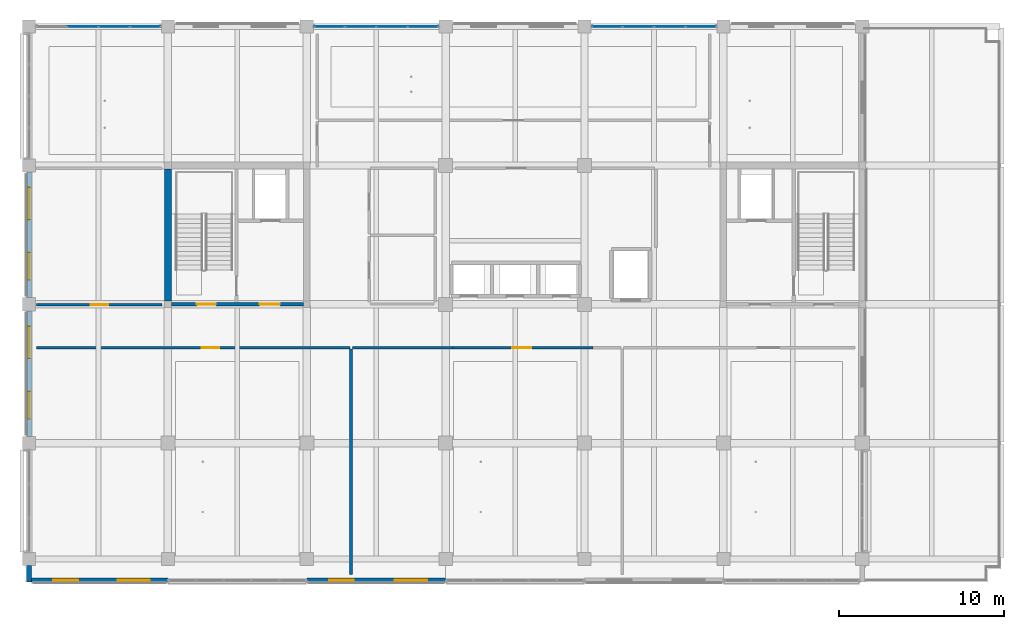
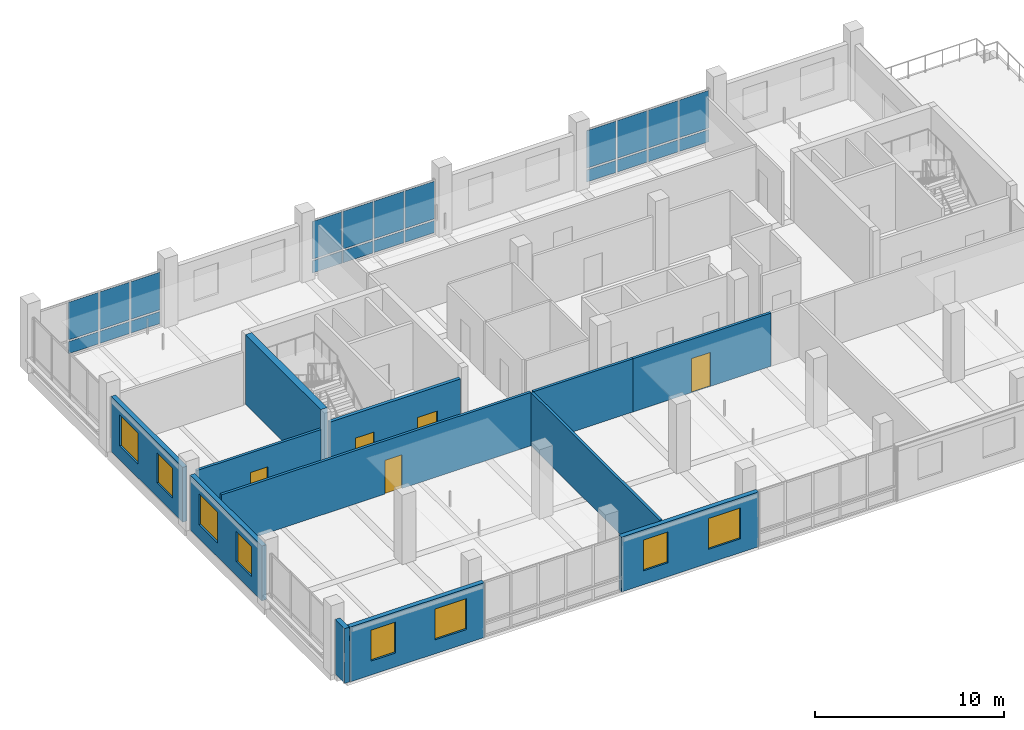
# One storey, part 11 of 36: 22 plates, 12 walls, 8 windows, 5 doors, 13 openings, 3 elements without a shape of their own.
"""IFC4 building model written with IfcOpenShell, lengths in metres."""

from ifc_helpers import new_model, si_unit, direction, frame, frame_2d, origin, origin_2d, place, context, subcontext, project, spatial, rectangle, extrude, material, layer, layer_set, type_object, element, fill, aggregate, save


model = new_model("IFC4")

# Units and contexts
model_context = context("Model", 3, precision=1e-05, world=origin(), true_north=direction((0.0, 1.0)))
body_context = subcontext(model_context, "Body", "Model", "MODEL_VIEW")
ifc_project = project(units=[si_unit("LENGTHUNIT", "METRE"), si_unit("AREAUNIT", "SQUARE_METRE"), si_unit("VOLUMEUNIT", "CUBIC_METRE"), si_unit("PLANEANGLEUNIT", "RADIAN"), si_unit("MASSUNIT", "GRAM", prefix="KILO")], contexts=[model_context])

# Site, building, storey
site_placement = place(None, origin())
site = spatial("IfcSite", under=ifc_project, at=site_placement, CompositionType="ELEMENT")
building_placement = place(site_placement, origin())
building = spatial("IfcBuilding", under=site, at=building_placement, Name="Telukmera Botanical Conservatory", CompositionType="ELEMENT")
storey_placement = place(building_placement, frame((0.0, 0.0, 33.0)))
storey = spatial("IfcBuildingStorey", under=building, at=storey_placement, Name="L07", CompositionType="ELEMENT", Elevation=33.0)

# Curtain wall, plates
ifc_material_1 = material(Name="Anodised aluminium 6063-T6", Category="aluminium")
ifc_layer_1 = layer(ifc_material_1, 0.179931640625)
ifc_layer_set_1 = layer_set([ifc_layer_1], Name="Anodised aluminium 6063-T6")
curtain_wall_type = type_object("IfcCurtainWallType", Name="Tower Research Laboratory Unitised Curtain Wall", PredefinedType="USERDEFINED", material=ifc_layer_set_1)
curtain_wall_1_placement = place(storey_placement, origin())
curtain_wall_1 = element("IfcCurtainWall", 1, at=curtain_wall_1_placement, inside=storey, type_object=curtain_wall_type, Name="Unitised Curtain Wall CW15 V4:L07:N1", ObjectType="UNITISED CURTAIN WALL", PredefinedType="USERDEFINED")
ifc_material_2 = material(Name="Spectrally selective low-E double glazing", Category="glass")
ifc_layer_2 = layer(ifc_material_2, 0.028076171875)
ifc_layer_set_2 = layer_set([ifc_layer_2], Name="Spectrally selective low-E double glazing")
plate_type = type_object("IfcPlateType", Name="Spectrally Selective Vision Double Glazing Panel 28", PredefinedType="CURTAIN_PANEL", material=ifc_layer_set_2)
plate_1_placement = place(storey_placement, frame((53.650390625, 42.800048828125, 0.10986328125), z_axis=(0.0, 0.0, 1.0), x_axis=(1.0, 0.0, 0.0)))
plate_1 = element("IfcPlate", 2, at=plate_1_placement, type_object=plate_type, Name="CW15 panel 2.1", PredefinedType="CURTAIN_PANEL", context=body_context, shape_type="SweptSolid", body=[
    extrude(rectangle(XDim=1.839111328125, YDim=0.028076171875, at=origin_2d()), origin(), (0.0, 0.0, 1.0), 0.784912109375),
])
plate_2_placement = place(storey_placement, frame((53.650390625, 42.800048828125, 1.0048828125), z_axis=(0.0, 0.0, 1.0), x_axis=(1.0, 0.0, 0.0)))
plate_2 = element("IfcPlate", 3, at=plate_2_placement, type_object=plate_type, Name="CW15 panel 2.2", PredefinedType="CURTAIN_PANEL", context=body_context, shape_type="SweptSolid", body=[
    extrude(rectangle(XDim=1.839111328125, YDim=0.028076171875, at=origin_2d()), origin(), (0.0, 0.0, 1.0), 2.43505859375),
])
plate_3_placement = place(storey_placement, frame((55.549560546875, 42.800048828125, 0.10986328125), z_axis=(0.0, 0.0, 1.0), x_axis=(1.0, 0.0, 0.0)))
plate_3 = element("IfcPlate", 4, at=plate_3_placement, type_object=plate_type, Name="CW15 panel 3.1", PredefinedType="CURTAIN_PANEL", context=body_context, shape_type="SweptSolid", body=[
    extrude(rectangle(XDim=1.839111328125, YDim=0.028076171875, at=origin_2d()), origin(), (0.0, 0.0, 1.0), 0.784912109375),
])
plate_4_placement = place(storey_placement, frame((55.549560546875, 42.800048828125, 1.0048828125), z_axis=(0.0, 0.0, 1.0), x_axis=(1.0, 0.0, 0.0)))
plate_4 = element("IfcPlate", 5, at=plate_4_placement, type_object=plate_type, Name="CW15 panel 3.2", PredefinedType="CURTAIN_PANEL", context=body_context, shape_type="SweptSolid", body=[
    extrude(rectangle(XDim=1.839111328125, YDim=0.028076171875, at=origin_2d()), origin(), (0.0, 0.0, 1.0), 2.43505859375),
])
plate_5_placement = place(storey_placement, frame((57.43359375, 42.800048828125, 0.10986328125), z_axis=(0.0, 0.0, 1.0), x_axis=(1.0, 0.0, 0.0)))
plate_5 = element("IfcPlate", 6, at=plate_5_placement, type_object=plate_type, Name="CW15 panel 4.1", PredefinedType="CURTAIN_PANEL", context=body_context, shape_type="SweptSolid", body=[
    extrude(rectangle(XDim=1.80908203125, YDim=0.028076171875, at=origin_2d()), origin(), (0.0, 0.0, 1.0), 0.784912109375),
])
plate_6_placement = place(storey_placement, frame((57.43359375, 42.800048828125, 1.0048828125), z_axis=(0.0, 0.0, 1.0), x_axis=(1.0, 0.0, 0.0)))
plate_6 = element("IfcPlate", 7, at=plate_6_placement, type_object=plate_type, Name="CW15 panel 4.2", PredefinedType="CURTAIN_PANEL", context=body_context, shape_type="SweptSolid", body=[
    extrude(rectangle(XDim=1.80908203125, YDim=0.028076171875, at=origin_2d()), origin(), (0.0, 0.0, 1.0), 2.43505859375),
])
aggregate(curtain_wall_1, [plate_1, plate_2, plate_3, plate_4, plate_5, plate_6])

curtain_wall_2_placement = place(storey_placement, origin())
curtain_wall_2 = element("IfcCurtainWall", 8, at=curtain_wall_2_placement, inside=storey, type_object=curtain_wall_type, Name="Unitised Curtain Wall CW15 V4:L07:N3", ObjectType="UNITISED CURTAIN WALL", PredefinedType="USERDEFINED")
plate_7_placement = place(storey_placement, frame((68.56640625, 42.800048828125, 0.10986328125), z_axis=(0.0, 0.0, 1.0), x_axis=(1.0, 0.0, 0.0)))
plate_7 = element("IfcPlate", 9, at=plate_7_placement, type_object=plate_type, Name="CW15 panel 1.1", PredefinedType="CURTAIN_PANEL", context=body_context, shape_type="SweptSolid", body=[
    extrude(rectangle(XDim=1.80908203125, YDim=0.028076171875, at=origin_2d()), origin(), (0.0, 0.0, 1.0), 0.784912109375),
])
plate_8_placement = place(storey_placement, frame((68.56640625, 42.800048828125, 1.0048828125), z_axis=(0.0, 0.0, 1.0), x_axis=(1.0, 0.0, 0.0)))
plate_8 = element("IfcPlate", 10, at=plate_8_placement, type_object=plate_type, Name="CW15 panel 1.2", PredefinedType="CURTAIN_PANEL", context=body_context, shape_type="SweptSolid", body=[
    extrude(rectangle(XDim=1.80908203125, YDim=0.028076171875, at=origin_2d()), origin(), (0.0, 0.0, 1.0), 2.43505859375),
])
plate_9_placement = place(storey_placement, frame((70.450439453125, 42.800048828125, 0.10986328125), z_axis=(0.0, 0.0, 1.0), x_axis=(1.0, 0.0, 0.0)))
plate_9 = element("IfcPlate", 11, at=plate_9_placement, type_object=plate_type, Name="CW15 panel 2.1", PredefinedType="CURTAIN_PANEL", context=body_context, shape_type="SweptSolid", body=[
    extrude(rectangle(XDim=1.839111328125, YDim=0.028076171875, at=origin_2d()), origin(), (0.0, 0.0, 1.0), 0.784912109375),
])
plate_10_placement = place(storey_placement, frame((70.450439453125, 42.800048828125, 1.0048828125), z_axis=(0.0, 0.0, 1.0), x_axis=(1.0, 0.0, 0.0)))
plate_10 = element("IfcPlate", 12, at=plate_10_placement, type_object=plate_type, Name="CW15 panel 2.2", PredefinedType="CURTAIN_PANEL", context=body_context, shape_type="SweptSolid", body=[
    extrude(rectangle(XDim=1.839111328125, YDim=0.028076171875, at=origin_2d()), origin(), (0.0, 0.0, 1.0), 2.43505859375),
])
plate_11_placement = place(storey_placement, frame((72.349609375, 42.800048828125, 0.10986328125), z_axis=(0.0, 0.0, 1.0), x_axis=(1.0, 0.0, 0.0)))
plate_11 = element("IfcPlate", 13, at=plate_11_placement, type_object=plate_type, Name="CW15 panel 3.1", PredefinedType="CURTAIN_PANEL", context=body_context, shape_type="SweptSolid", body=[
    extrude(rectangle(XDim=1.839111328125, YDim=0.028076171875, at=origin_2d()), origin(), (0.0, 0.0, 1.0), 0.784912109375),
])
plate_12_placement = place(storey_placement, frame((72.349609375, 42.800048828125, 1.0048828125), z_axis=(0.0, 0.0, 1.0), x_axis=(1.0, 0.0, 0.0)))
plate_12 = element("IfcPlate", 14, at=plate_12_placement, type_object=plate_type, Name="CW15 panel 3.2", PredefinedType="CURTAIN_PANEL", context=body_context, shape_type="SweptSolid", body=[
    extrude(rectangle(XDim=1.839111328125, YDim=0.028076171875, at=origin_2d()), origin(), (0.0, 0.0, 1.0), 2.43505859375),
])
plate_13_placement = place(storey_placement, frame((74.2333984375, 42.800048828125, 0.10986328125), z_axis=(0.0, 0.0, 1.0), x_axis=(1.0, 0.0, 0.0)))
plate_13 = element("IfcPlate", 15, at=plate_13_placement, type_object=plate_type, Name="CW15 panel 4.1", PredefinedType="CURTAIN_PANEL", context=body_context, shape_type="SweptSolid", body=[
    extrude(rectangle(XDim=1.80908203125, YDim=0.028076171875, at=origin_2d()), origin(), (0.0, 0.0, 1.0), 0.784912109375),
])
plate_14_placement = place(storey_placement, frame((74.2333984375, 42.800048828125, 1.0048828125), z_axis=(0.0, 0.0, 1.0), x_axis=(1.0, 0.0, 0.0)))
plate_14 = element("IfcPlate", 16, at=plate_14_placement, type_object=plate_type, Name="CW15 panel 4.2", PredefinedType="CURTAIN_PANEL", context=body_context, shape_type="SweptSolid", body=[
    extrude(rectangle(XDim=1.80908203125, YDim=0.028076171875, at=origin_2d()), origin(), (0.0, 0.0, 1.0), 2.43505859375),
])
aggregate(curtain_wall_2, [plate_7, plate_8, plate_9, plate_10, plate_11, plate_12, plate_13, plate_14])

curtain_wall_3_placement = place(storey_placement, origin())
curtain_wall_3 = element("IfcCurtainWall", 17, at=curtain_wall_3_placement, inside=storey, type_object=curtain_wall_type, Name="Unitised Curtain Wall CW15 V4:L07:N5", ObjectType="UNITISED CURTAIN WALL", PredefinedType="USERDEFINED")
plate_15_placement = place(storey_placement, frame((85.366455078125, 42.800048828125, 0.10986328125), z_axis=(0.0, 0.0, 1.0), x_axis=(1.0, 0.0, 0.0)))
plate_15 = element("IfcPlate", 18, at=plate_15_placement, type_object=plate_type, Name="CW15 panel 1.1", PredefinedType="CURTAIN_PANEL", context=body_context, shape_type="SweptSolid", body=[
    extrude(rectangle(XDim=1.80908203125, YDim=0.028076171875, at=origin_2d()), origin(), (0.0, 0.0, 1.0), 0.784912109375),
])
plate_16_placement = place(storey_placement, frame((85.366455078125, 42.800048828125, 1.0048828125), z_axis=(0.0, 0.0, 1.0), x_axis=(1.0, 0.0, 0.0)))
plate_16 = element("IfcPlate", 19, at=plate_16_placement, type_object=plate_type, Name="CW15 panel 1.2", PredefinedType="CURTAIN_PANEL", context=body_context, shape_type="SweptSolid", body=[
    extrude(rectangle(XDim=1.80908203125, YDim=0.028076171875, at=origin_2d()), origin(), (0.0, 0.0, 1.0), 2.43505859375),
])
plate_17_placement = place(storey_placement, frame((87.25048828125, 42.800048828125, 0.10986328125), z_axis=(0.0, 0.0, 1.0), x_axis=(1.0, 0.0, 0.0)))
plate_17 = element("IfcPlate", 20, at=plate_17_placement, type_object=plate_type, Name="CW15 panel 2.1", PredefinedType="CURTAIN_PANEL", context=body_context, shape_type="SweptSolid", body=[
    extrude(rectangle(XDim=1.839111328125, YDim=0.028076171875, at=origin_2d()), origin(), (0.0, 0.0, 1.0), 0.784912109375),
])
plate_18_placement = place(storey_placement, frame((87.25048828125, 42.800048828125, 1.0048828125), z_axis=(0.0, 0.0, 1.0), x_axis=(1.0, 0.0, 0.0)))
plate_18 = element("IfcPlate", 21, at=plate_18_placement, type_object=plate_type, Name="CW15 panel 2.2", PredefinedType="CURTAIN_PANEL", context=body_context, shape_type="SweptSolid", body=[
    extrude(rectangle(XDim=1.839111328125, YDim=0.028076171875, at=origin_2d()), origin(), (0.0, 0.0, 1.0), 2.43505859375),
])
plate_19_placement = place(storey_placement, frame((89.1494140625, 42.800048828125, 0.10986328125), z_axis=(0.0, 0.0, 1.0), x_axis=(1.0, 0.0, 0.0)))
plate_19 = element("IfcPlate", 22, at=plate_19_placement, type_object=plate_type, Name="CW15 panel 3.1", PredefinedType="CURTAIN_PANEL", context=body_context, shape_type="SweptSolid", body=[
    extrude(rectangle(XDim=1.839111328125, YDim=0.028076171875, at=origin_2d()), origin(), (0.0, 0.0, 1.0), 0.784912109375),
])
plate_20_placement = place(storey_placement, frame((89.1494140625, 42.800048828125, 1.0048828125), z_axis=(0.0, 0.0, 1.0), x_axis=(1.0, 0.0, 0.0)))
plate_20 = element("IfcPlate", 23, at=plate_20_placement, type_object=plate_type, Name="CW15 panel 3.2", PredefinedType="CURTAIN_PANEL", context=body_context, shape_type="SweptSolid", body=[
    extrude(rectangle(XDim=1.839111328125, YDim=0.028076171875, at=origin_2d()), origin(), (0.0, 0.0, 1.0), 2.43505859375),
])
plate_21_placement = place(storey_placement, frame((91.033447265625, 42.800048828125, 0.10986328125), z_axis=(0.0, 0.0, 1.0), x_axis=(1.0, 0.0, 0.0)))
plate_21 = element("IfcPlate", 24, at=plate_21_placement, type_object=plate_type, Name="CW15 panel 4.1", PredefinedType="CURTAIN_PANEL", context=body_context, shape_type="SweptSolid", body=[
    extrude(rectangle(XDim=1.80908203125, YDim=0.028076171875, at=origin_2d()), origin(), (0.0, 0.0, 1.0), 0.784912109375),
])
plate_22_placement = place(storey_placement, frame((91.033447265625, 42.800048828125, 1.0048828125), z_axis=(0.0, 0.0, 1.0), x_axis=(1.0, 0.0, 0.0)))
plate_22 = element("IfcPlate", 25, at=plate_22_placement, type_object=plate_type, Name="CW15 panel 4.2", PredefinedType="CURTAIN_PANEL", context=body_context, shape_type="SweptSolid", body=[
    extrude(rectangle(XDim=1.80908203125, YDim=0.028076171875, at=origin_2d()), origin(), (0.0, 0.0, 1.0), 2.43505859375),
])
aggregate(curtain_wall_3, [plate_15, plate_16, plate_17, plate_18, plate_19, plate_20, plate_21, plate_22])

# Wall, openings, windows
ifc_material_3 = material(Name="Precast concrete C40/50", Category="concrete")
ifc_layer_3 = layer(ifc_material_3, 0.280029296875)
ifc_layer_set_3 = layer_set([ifc_layer_3], Name="Precast concrete C40/50")
wall_type_1 = type_object("IfcWallType", Name="Exterior Laboratory Modular Precast Wall 280", PredefinedType="ELEMENTEDWALL", material=ifc_layer_set_3)
wall_1_placement = place(storey_placement, frame((50.552001953125, 9.320068359375, 0.0), z_axis=(0.0, 0.0, 1.0), x_axis=(1.0, 0.0, 0.0)))
wall_1 = element("IfcWall", 26, at=wall_1_placement, inside=storey, type_object=wall_type_1, Name="Exterior Precast Wall EW06 V4:L07:S1", PredefinedType="ELEMENTEDWALL", context=body_context, shape_type="SweptSolid", body=[
    extrude(rectangle(XDim=8.24609375, YDim=0.280029296875, at=frame_2d((4.123046875, 0.0))), origin(), (0.0, 0.0, 1.0), 3.550048828125),
])
opening_1_placement = place(wall_1_placement, frame((1.3115234375, 0.0, 0.89990234375)))
opening_1 = element("IfcOpeningElement", 27, at=opening_1_placement, cuts=wall_1, Name="Opening W06", PredefinedType="OPENING", context=body_context, shape_type="SweptSolid", body=[
    extrude(rectangle(XDim=1.5, YDim=2.0, at=frame_2d((0.75, 1.0))), frame((0.0, 0.14990234375, 0.0), z_axis=(0.0, -1.0, 0.0), x_axis=(1.0, 0.0, 0.0)), (0.0, 0.0, 1.0), 0.300048828125),
])
opening_2_placement = place(wall_1_placement, frame((5.20947265625, 0.0, 0.89990234375)))
opening_2 = element("IfcOpeningElement", 28, at=opening_2_placement, cuts=wall_1, Name="Opening W13", PredefinedType="OPENING", context=body_context, shape_type="SweptSolid", body=[
    extrude(rectangle(XDim=1.949951171875, YDim=2.0, at=frame_2d((0.97509765625, 1.0))), frame((0.0, 0.14990234375, 0.0), z_axis=(0.0, -1.0, 0.0), x_axis=(1.0, 0.0, 0.0)), (0.0, 0.0, 1.0), 0.300048828125),
])
ifc_material_4 = material(Name="Thermally broken anodised aluminium frame with low-E double glazing", Category="aluminium")
window_type_1 = type_object("IfcWindowType", Name="Double Vertical Laboratory Viewing Window 1500x2000", PartitioningType="DOUBLE_PANEL_VERTICAL", PredefinedType="WINDOW", material=ifc_material_4)
window_1_placement = place(opening_1_placement, origin())
window_1 = element("IfcWindow", 29, at=window_1_placement, inside=storey, type_object=window_type_1, Name="Facade Window W06 V4:L07:S1 1", OverallHeight=2.0, OverallWidth=1.5, PartitioningType="DOUBLE_PANEL_VERTICAL", PredefinedType="WINDOW", context=body_context, shape_type="SweptSolid", body=[
    extrude(rectangle(XDim=1.5, YDim=2.0, at=frame_2d((0.75, 1.0))), frame((0.0, 0.030029296875, 0.0), z_axis=(0.0, -1.0, 0.0), x_axis=(1.0, 0.0, 0.0)), (0.0, 0.0, 1.0), 0.06005859375),
])
fill(opening_1, window_1)
window_type_2 = type_object("IfcWindowType", Name="Triple Vertical Tissue Culture Lab Window 1950x2000", PartitioningType="TRIPLE_PANEL_VERTICAL", PredefinedType="WINDOW", material=ifc_material_4)
window_2_placement = place(opening_2_placement, origin())
window_2 = element("IfcWindow", 30, at=window_2_placement, inside=storey, type_object=window_type_2, Name="Facade Window W13 V4:L07:S1 2", OverallHeight=2.0, OverallWidth=1.949951171875, PartitioningType="TRIPLE_PANEL_VERTICAL", PredefinedType="WINDOW", context=body_context, shape_type="SweptSolid", body=[
    extrude(rectangle(XDim=1.949951171875, YDim=2.0, at=frame_2d((0.97509765625, 1.0))), frame((0.0, 0.030029296875, 0.0), z_axis=(0.0, -1.0, 0.0), x_axis=(1.0, 0.0, 0.0)), (0.0, 0.0, 1.0), 0.06005859375),
])
fill(opening_2, window_2)

wall_2_placement = place(storey_placement, frame((67.201904296875, 9.320068359375, 0.0), z_axis=(0.0, 0.0, 1.0), x_axis=(1.0, 0.0, 0.0)))
wall_2 = element("IfcWall", 31, at=wall_2_placement, inside=storey, type_object=wall_type_1, Name="Exterior Precast Wall EW06 V4:L07:S3", PredefinedType="ELEMENTEDWALL", context=body_context, shape_type="SweptSolid", body=[
    extrude(rectangle(XDim=8.39599609375, YDim=0.280029296875, at=frame_2d((4.197998046875, 0.0))), origin(), (0.0, 0.0, 1.0), 3.550048828125),
])
opening_3_placement = place(wall_2_placement, frame((1.34912109375, 0.0, 0.89990234375)))
opening_3 = element("IfcOpeningElement", 32, at=opening_3_placement, cuts=wall_2, Name="Opening W06", PredefinedType="OPENING", context=body_context, shape_type="SweptSolid", body=[
    extrude(rectangle(XDim=1.5, YDim=2.0, at=frame_2d((0.75, 1.0))), frame((0.0, 0.14990234375, 0.0), z_axis=(0.0, -1.0, 0.0), x_axis=(1.0, 0.0, 0.0)), (0.0, 0.0, 1.0), 0.300048828125),
])
opening_4_placement = place(wall_2_placement, frame((5.322021484375, 0.0, 0.89990234375)))
opening_4 = element("IfcOpeningElement", 33, at=opening_4_placement, cuts=wall_2, Name="Opening W13", PredefinedType="OPENING", context=body_context, shape_type="SweptSolid", body=[
    extrude(rectangle(XDim=1.949951171875, YDim=2.0, at=frame_2d((0.97509765625, 1.0))), frame((0.0, 0.14990234375, 0.0), z_axis=(0.0, -1.0, 0.0), x_axis=(1.0, 0.0, 0.0)), (0.0, 0.0, 1.0), 0.300048828125),
])
window_3_placement = place(opening_3_placement, origin())
window_3 = element("IfcWindow", 34, at=window_3_placement, inside=storey, type_object=window_type_1, Name="Facade Window W06 V4:L07:S3 1", OverallHeight=2.0, OverallWidth=1.5, PartitioningType="DOUBLE_PANEL_VERTICAL", PredefinedType="WINDOW", context=body_context, shape_type="SweptSolid", body=[
    extrude(rectangle(XDim=1.5, YDim=2.0, at=frame_2d((0.75, 1.0))), frame((0.0, 0.030029296875, 0.0), z_axis=(0.0, -1.0, 0.0), x_axis=(1.0, 0.0, 0.0)), (0.0, 0.0, 1.0), 0.06005859375),
])
fill(opening_3, window_3)
window_4_placement = place(opening_4_placement, origin())
window_4 = element("IfcWindow", 35, at=window_4_placement, inside=storey, type_object=window_type_2, Name="Facade Window W13 V4:L07:S3 2", OverallHeight=2.0, OverallWidth=1.949951171875, PartitioningType="TRIPLE_PANEL_VERTICAL", PredefinedType="WINDOW", context=body_context, shape_type="SweptSolid", body=[
    extrude(rectangle(XDim=1.949951171875, YDim=2.0, at=frame_2d((0.97509765625, 1.0))), frame((0.0, 0.030029296875, 0.0), z_axis=(0.0, -1.0, 0.0), x_axis=(1.0, 0.0, 0.0)), (0.0, 0.0, 1.0), 0.06005859375),
])
fill(opening_4, window_4)

wall_3_placement = place(storey_placement, frame((50.39990234375, 18.001953125, 0.0), z_axis=(0.0, 0.0, 1.0), x_axis=(0.0, 1.0, 0.0)))
wall_3 = element("IfcWall", 36, at=wall_3_placement, inside=storey, type_object=wall_type_1, Name="Exterior Precast Wall EW06 V4:L07:W2", PredefinedType="ELEMENTEDWALL", context=body_context, shape_type="SweptSolid", body=[
    extrude(rectangle(XDim=7.595947265625, YDim=0.280029296875, at=frame_2d((3.7978515625, 0.0))), origin(), (0.0, 0.0, 1.0), 3.550048828125),
])
opening_5_placement = place(wall_3_placement, frame((1.073974609375, 0.0, 0.89990234375)))
opening_5 = element("IfcOpeningElement", 37, at=opening_5_placement, cuts=wall_3, Name="Opening W10", PredefinedType="OPENING", context=body_context, shape_type="SweptSolid", body=[
    extrude(rectangle(XDim=1.64990234375, YDim=1.949951171875, at=frame_2d((0.824951171875, 0.97509765625))), frame((0.0, 0.14990234375, 0.0), z_axis=(0.0, -1.0, 0.0), x_axis=(1.0, 0.0, 0.0)), (0.0, 0.0, 1.0), 0.300048828125),
])
opening_6_placement = place(wall_3_placement, frame((4.721923828125, 0.0, 0.89990234375)))
opening_6 = element("IfcOpeningElement", 38, at=opening_6_placement, cuts=wall_3, Name="Opening W13", PredefinedType="OPENING", context=body_context, shape_type="SweptSolid", body=[
    extrude(rectangle(XDim=1.949951171875, YDim=2.0, at=frame_2d((0.97509765625, 1.0))), frame((0.0, 0.14990234375, 0.0), z_axis=(0.0, -1.0, 0.0), x_axis=(1.0, 0.0, 0.0)), (0.0, 0.0, 1.0), 0.300048828125),
])
window_type_3 = type_object("IfcWindowType", Name="Double Horizontal Phytochemistry Lab Window 1650x1950", PartitioningType="DOUBLE_PANEL_HORIZONTAL", PredefinedType="WINDOW", material=ifc_material_4)
window_5_placement = place(opening_5_placement, origin())
window_5 = element("IfcWindow", 39, at=window_5_placement, inside=storey, type_object=window_type_3, Name="Facade Window W10 V4:L07:W2 1", OverallHeight=1.949951171875, OverallWidth=1.64990234375, PartitioningType="DOUBLE_PANEL_HORIZONTAL", PredefinedType="WINDOW", context=body_context, shape_type="SweptSolid", body=[
    extrude(rectangle(XDim=1.64990234375, YDim=1.949951171875, at=frame_2d((0.824951171875, 0.97509765625))), frame((0.0, 0.030029296875, 0.0), z_axis=(0.0, -1.0, 0.0), x_axis=(1.0, 0.0, 0.0)), (0.0, 0.0, 1.0), 0.06005859375),
])
fill(opening_5, window_5)
window_6_placement = place(opening_6_placement, origin())
window_6 = element("IfcWindow", 40, at=window_6_placement, inside=storey, type_object=window_type_2, Name="Facade Window W13 V4:L07:W2 2", OverallHeight=2.0, OverallWidth=1.949951171875, PartitioningType="TRIPLE_PANEL_VERTICAL", PredefinedType="WINDOW", context=body_context, shape_type="SweptSolid", body=[
    extrude(rectangle(XDim=1.949951171875, YDim=2.0, at=frame_2d((0.97509765625, 1.0))), frame((0.0, 0.030029296875, 0.0), z_axis=(0.0, -1.0, 0.0), x_axis=(1.0, 0.0, 0.0)), (0.0, 0.0, 1.0), 0.06005859375),
])
fill(opening_6, window_6)

wall_4_placement = place(storey_placement, frame((50.39990234375, 26.402099609375, 0.0), z_axis=(0.0, 0.0, 1.0), x_axis=(0.0, 1.0, 0.0)))
wall_4 = element("IfcWall", 41, at=wall_4_placement, inside=storey, type_object=wall_type_1, Name="Exterior Precast Wall EW06 V4:L07:W3", PredefinedType="ELEMENTEDWALL", context=body_context, shape_type="SweptSolid", body=[
    extrude(rectangle(XDim=7.595947265625, YDim=0.280029296875, at=frame_2d((3.7978515625, 0.0))), origin(), (0.0, 0.0, 1.0), 3.550048828125),
])
opening_7_placement = place(wall_4_placement, frame((1.073974609375, 0.0, 0.89990234375)))
opening_7 = element("IfcOpeningElement", 42, at=opening_7_placement, cuts=wall_4, Name="Opening W10", PredefinedType="OPENING", context=body_context, shape_type="SweptSolid", body=[
    extrude(rectangle(XDim=1.64990234375, YDim=1.949951171875, at=frame_2d((0.824951171875, 0.97509765625))), frame((0.0, 0.14990234375, 0.0), z_axis=(0.0, -1.0, 0.0), x_axis=(1.0, 0.0, 0.0)), (0.0, 0.0, 1.0), 0.300048828125),
])
opening_8_placement = place(wall_4_placement, frame((4.721923828125, 0.0, 0.89990234375)))
opening_8 = element("IfcOpeningElement", 43, at=opening_8_placement, cuts=wall_4, Name="Opening W13", PredefinedType="OPENING", context=body_context, shape_type="SweptSolid", body=[
    extrude(rectangle(XDim=1.949951171875, YDim=2.0, at=frame_2d((0.97509765625, 1.0))), frame((0.0, 0.14990234375, 0.0), z_axis=(0.0, -1.0, 0.0), x_axis=(1.0, 0.0, 0.0)), (0.0, 0.0, 1.0), 0.300048828125),
])
window_7_placement = place(opening_7_placement, origin())
window_7 = element("IfcWindow", 44, at=window_7_placement, inside=storey, type_object=window_type_3, Name="Facade Window W10 V4:L07:W3 1", OverallHeight=1.949951171875, OverallWidth=1.64990234375, PartitioningType="DOUBLE_PANEL_HORIZONTAL", PredefinedType="WINDOW", context=body_context, shape_type="SweptSolid", body=[
    extrude(rectangle(XDim=1.64990234375, YDim=1.949951171875, at=frame_2d((0.824951171875, 0.97509765625))), frame((0.0, 0.030029296875, 0.0), z_axis=(0.0, -1.0, 0.0), x_axis=(1.0, 0.0, 0.0)), (0.0, 0.0, 1.0), 0.06005859375),
])
fill(opening_7, window_7)
window_8_placement = place(opening_8_placement, origin())
window_8 = element("IfcWindow", 45, at=window_8_placement, inside=storey, type_object=window_type_2, Name="Facade Window W13 V4:L07:W3 2", OverallHeight=2.0, OverallWidth=1.949951171875, PartitioningType="TRIPLE_PANEL_VERTICAL", PredefinedType="WINDOW", context=body_context, shape_type="SweptSolid", body=[
    extrude(rectangle(XDim=1.949951171875, YDim=2.0, at=frame_2d((0.97509765625, 1.0))), frame((0.0, 0.030029296875, 0.0), z_axis=(0.0, -1.0, 0.0), x_axis=(1.0, 0.0, 0.0)), (0.0, 0.0, 1.0), 0.06005859375),
])
fill(opening_8, window_8)

# Wall
ifc_material_5 = material(Name="Terracotta-faced precast concrete C40/50", Category="masonry")
ifc_layer_4 = layer(ifc_material_5, 0.300048828125)
ifc_layer_set_4 = layer_set([ifc_layer_4], Name="Terracotta-faced precast concrete C40/50")
wall_type_2 = type_object("IfcWallType", Name="Exterior Polychrome Terracotta Precast Wall 300", PredefinedType="SOLIDWALL", material=ifc_layer_set_4)
wall_5_placement = place(storey_placement, frame((50.39990234375, 9.199951171875, 0.0), z_axis=(0.0, 0.0, 1.0), x_axis=(0.0, 1.0, 0.0)))
element("IfcWall", 46, at=wall_5_placement, inside=storey, type_object=wall_type_2, Name="Exterior Precast Wall EW02 V4:L07:SWC", PredefinedType="SOLIDWALL", context=body_context, shape_type="SweptSolid", body=[
    extrude(rectangle(XDim=0.998046875, YDim=0.300048828125, at=frame_2d((0.4990234375, 0.0))), origin(), (0.0, 0.0, 1.0), 3.550048828125),
])

# Wall, openings, doors
ifc_material_6 = material(Name="Concrete C40/50", Category="concrete")
ifc_layer_5 = layer(ifc_material_6, 0.199951171875)
ifc_layer_set_5 = layer_set([ifc_layer_5], Name="Concrete C40/50")
wall_type_3 = type_object("IfcWallType", Name="WT-CORE-200", PredefinedType="SOLIDWALL", material=ifc_layer_set_5)
wall_6_placement = place(storey_placement, frame((59.0, 26.0, 0.0), z_axis=(0.0, 0.0, 1.0), x_axis=(1.0, 0.0, 0.0)))
wall_6 = element("IfcWall", 47, at=wall_6_placement, inside=storey, type_object=wall_type_3, Name="L07 Core C1 South Fire Wall", PredefinedType="SOLIDWALL", context=body_context, shape_type="SweptSolid", body=[
    extrude(rectangle(XDim=8.0, YDim=0.199951171875, at=frame_2d((4.0, 0.0))), origin(), (0.0, 0.0, 1.0), 3.72998046875),
])
opening_9_placement = place(wall_6_placement, frame((1.550048828125, 0.0, 0.0)))
opening_9 = element("IfcOpeningElement", 48, at=opening_9_placement, cuts=wall_6, Name="Opening FD60A", PredefinedType="OPENING", context=body_context, shape_type="SweptSolid", body=[
    extrude(rectangle(XDim=1.14990234375, YDim=2.14990234375, at=frame_2d((0.574951171875, 1.074951171875))), frame((0.0, 0.10986328125, 0.0), z_axis=(0.0, -1.0, 0.0), x_axis=(1.0, 0.0, 0.0)), (0.0, 0.0, 1.0), 0.219970703125),
])
opening_10_placement = place(wall_6_placement, frame((5.35009765625, 0.0, 0.0)))
opening_10 = element("IfcOpeningElement", 49, at=opening_10_placement, cuts=wall_6, Name="Opening FD60C", PredefinedType="OPENING", context=body_context, shape_type="SweptSolid", body=[
    extrude(rectangle(XDim=1.219970703125, YDim=2.14990234375, at=frame_2d((0.60986328125, 1.074951171875))), frame((0.0, 0.10986328125, 0.0), z_axis=(0.0, -1.0, 0.0), x_axis=(1.0, 0.0, 0.0)), (0.0, 0.0, 1.0), 0.219970703125),
])
ifc_material_7 = material(Name="Hardwood fire door", Category="wood")
door_type_1 = type_object("IfcDoorType", Name="DT-FD60-01", OperationType="NOTDEFINED", PredefinedType="DOOR", material=ifc_material_7)
door_1_placement = place(opening_9_placement, origin())
door_1 = element("IfcDoor", 50, at=door_1_placement, inside=storey, type_object=door_type_1, Name="L07 Stair ST1 Escape Door", OperationType="SINGLE_SWING_RIGHT", OverallHeight=2.14990234375, OverallWidth=1.14990234375, PredefinedType="DOOR", context=body_context, shape_type="SweptSolid", body=[
    extrude(rectangle(XDim=1.14990234375, YDim=2.14990234375, at=frame_2d((0.574951171875, 1.074951171875))), frame((0.0, 0.02490234375, 0.0), z_axis=(0.0, -1.0, 0.0), x_axis=(1.0, 0.0, 0.0)), (0.0, 0.0, 1.0), 0.050048828125),
])
fill(opening_9, door_1)
door_type_2 = type_object("IfcDoorType", Name="DT-FD60-03", OperationType="NOTDEFINED", PredefinedType="DOOR", material=ifc_material_7)
door_2_placement = place(opening_10_placement, origin())
door_2 = element("IfcDoor", 51, at=door_2_placement, inside=storey, type_object=door_type_2, Name="L07 Firefighting Lobby C1 Door", OperationType="SINGLE_SWING_LEFT", OverallHeight=2.14990234375, OverallWidth=1.219970703125, PredefinedType="DOOR", context=body_context, shape_type="SweptSolid", body=[
    extrude(rectangle(XDim=1.219970703125, YDim=2.14990234375, at=frame_2d((0.60986328125, 1.074951171875))), frame((0.0, 0.02490234375, 0.0), z_axis=(0.0, -1.0, 0.0), x_axis=(1.0, 0.0, 0.0)), (0.0, 0.0, 1.0), 0.050048828125),
])
fill(opening_10, door_2)

# Wall, opening, door
ifc_material_8 = material(Name="Gypsum acoustic stud partition")
ifc_layer_6 = layer(ifc_material_8, 0.159912109375)
ifc_layer_set_6 = layer_set([ifc_layer_6], Name="Gypsum acoustic stud partition")
wall_type_4 = type_object("IfcWallType", Name="WT-LAB-160", PredefinedType="PARTITIONING", material=ifc_layer_set_6)
wall_7_placement = place(storey_placement, frame((50.85009765625, 25.97509765625, 0.0), z_axis=(0.0, 0.0, 1.0), x_axis=(1.0, 0.0, 0.0)))
wall_7 = element("IfcWall", 52, at=wall_7_placement, inside=storey, type_object=wall_type_4, Name="L07 Interior Partition 09", PredefinedType="PARTITIONING", context=body_context, shape_type="SweptSolid", body=[
    extrude(rectangle(XDim=7.599853515625, YDim=0.159912109375, at=frame_2d((3.7998046875, 0.0))), origin(), (0.0, 0.0, 1.0), 3.449951171875),
])
opening_11_placement = place(wall_7_placement, frame((3.27001953125, 0.0, 0.0)))
opening_11 = element("IfcOpeningElement", 53, at=opening_11_placement, cuts=wall_7, Name="Opening ID12", PredefinedType="OPENING", context=body_context, shape_type="SweptSolid", body=[
    extrude(rectangle(XDim=1.06005859375, YDim=2.179931640625, at=frame_2d((0.530029296875, 1.08984375))), frame((0.0, 0.08984375, 0.0), z_axis=(0.0, -1.0, 0.0), x_axis=(1.0, 0.0, 0.0)), (0.0, 0.0, 1.0), 0.179931640625),
])
ifc_material_9 = material(Name="Light-tight microscopy door")
door_type_3 = type_object("IfcDoorType", Name="DT-MIC-106", OperationType="NOTDEFINED", PredefinedType="DOOR", material=ifc_material_9)
door_3_placement = place(opening_11_placement, origin())
door_3 = element("IfcDoor", 54, at=door_3_placement, inside=storey, type_object=door_type_3, Name="L07 Bioinformatics Server Room Door", OperationType="SINGLE_SWING_RIGHT", OverallHeight=2.179931640625, OverallWidth=1.06005859375, PredefinedType="DOOR", context=body_context, shape_type="SweptSolid", body=[
    extrude(rectangle(XDim=1.06005859375, YDim=2.179931640625, at=frame_2d((0.530029296875, 1.08984375))), frame((0.0, 0.02490234375, 0.0), z_axis=(0.0, -1.0, 0.0), x_axis=(1.0, 0.0, 0.0)), (0.0, 0.0, 1.0), 0.050048828125),
])
fill(opening_11, door_3)

wall_8_placement = place(storey_placement, frame((76.050048828125, 23.375, 0.0), z_axis=(0.0, 0.0, 1.0), x_axis=(1.0, 0.0, 0.0)))
wall_8 = element("IfcWall", 55, at=wall_8_placement, inside=storey, type_object=wall_type_4, Name="L07 Interior Partition 11", PredefinedType="PARTITIONING", context=body_context, shape_type="SweptSolid", body=[
    extrude(rectangle(XDim=8.449951171875, YDim=0.159912109375, at=frame_2d((4.22509765625, 0.0))), origin(), (0.0, 0.0, 1.0), 3.449951171875),
])
opening_12_placement = place(wall_8_placement, frame((3.569580078125, 0.0, 0.0)))
opening_12 = element("IfcOpeningElement", 56, at=opening_12_placement, cuts=wall_8, Name="Opening ID09", PredefinedType="OPENING", context=body_context, shape_type="SweptSolid", body=[
    extrude(rectangle(XDim=1.159912109375, YDim=2.199951171875, at=frame_2d((0.580078125, 1.10009765625))), frame((0.0, 0.08984375, 0.0), z_axis=(0.0, -1.0, 0.0), x_axis=(1.0, 0.0, 0.0)), (0.0, 0.0, 1.0), 0.179931640625),
])
ifc_material_10 = material(Name="Phenolic faced laboratory fire door")
door_type_4 = type_object("IfcDoorType", Name="DT-LAB-116", OperationType="NOTDEFINED", PredefinedType="DOOR", material=ifc_material_10)
door_4_placement = place(opening_12_placement, frame((1.159912109375, 0.0, 0.0), z_axis=(0.0, 0.0, 1.0), x_axis=(-1.0, 0.0, 0.0)))
door_4 = element("IfcDoor", 57, at=door_4_placement, inside=storey, type_object=door_type_4, Name="L07 Research Laboratory Door", OperationType="SINGLE_SWING_RIGHT", OverallHeight=2.199951171875, OverallWidth=1.159912109375, PredefinedType="DOOR", context=body_context, shape_type="SweptSolid", body=[
    extrude(rectangle(XDim=1.159912109375, YDim=2.199951171875, at=frame_2d((0.580078125, 1.10009765625))), frame((0.0, 0.02490234375, 0.0), z_axis=(0.0, -1.0, 0.0), x_axis=(1.0, 0.0, 0.0)), (0.0, 0.0, 1.0), 0.050048828125),
])
fill(opening_12, door_4)

wall_9_placement = place(storey_placement, frame((50.85009765625, 23.375, 0.0), z_axis=(0.0, 0.0, 1.0), x_axis=(1.0, 0.0, 0.0)))
wall_9 = element("IfcWall", 58, at=wall_9_placement, inside=storey, type_object=wall_type_4, Name="L07 Interior Partition 14", PredefinedType="PARTITIONING", context=body_context, shape_type="SweptSolid", body=[
    extrude(rectangle(XDim=18.949951171875, YDim=0.159912109375, at=frame_2d((9.47509765625, 0.0))), origin(), (0.0, 0.0, 1.0), 3.449951171875),
])
opening_13_placement = place(wall_9_placement, frame((9.994384765625, 0.0, 0.0)))
opening_13 = element("IfcOpeningElement", 59, at=opening_13_placement, cuts=wall_9, Name="Opening ID12", PredefinedType="OPENING", context=body_context, shape_type="SweptSolid", body=[
    extrude(rectangle(XDim=1.06005859375, YDim=2.179931640625, at=frame_2d((0.530029296875, 1.08984375))), frame((0.0, 0.08984375, 0.0), z_axis=(0.0, -1.0, 0.0), x_axis=(1.0, 0.0, 0.0)), (0.0, 0.0, 1.0), 0.179931640625),
])
door_5_placement = place(opening_13_placement, frame((1.06005859375, 0.0, 0.0), z_axis=(0.0, 0.0, 1.0), x_axis=(-1.0, 0.0, 0.0)))
door_5 = element("IfcDoor", 60, at=door_5_placement, inside=storey, type_object=door_type_3, Name="L07 Bioinformatics Laboratory Door", OperationType="SINGLE_SWING_LEFT", OverallHeight=2.179931640625, OverallWidth=1.06005859375, PredefinedType="DOOR", context=body_context, shape_type="SweptSolid", body=[
    extrude(rectangle(XDim=1.06005859375, YDim=2.179931640625, at=frame_2d((0.530029296875, 1.08984375))), frame((0.0, 0.02490234375, 0.0), z_axis=(0.0, -1.0, 0.0), x_axis=(1.0, 0.0, 0.0)), (0.0, 0.0, 1.0), 0.050048828125),
])
fill(opening_13, door_5)

# Walls
wall_10_placement = place(storey_placement, frame((69.949951171875, 23.375, 0.0), z_axis=(0.0, 0.0, 1.0), x_axis=(1.0, 0.0, 0.0)))
element("IfcWall", 61, at=wall_10_placement, inside=storey, type_object=wall_type_4, Name="L07 Interior Partition 15", PredefinedType="PARTITIONING", context=body_context, shape_type="SweptSolid", body=[
    extrude(rectangle(XDim=6.090087890625, YDim=0.159912109375, at=frame_2d((3.044921875, 0.0))), origin(), (0.0, 0.0, 1.0), 3.449951171875),
])
wall_11_placement = place(storey_placement, frame((69.875, 9.64990234375, 0.0), z_axis=(0.0, 0.0, 1.0), x_axis=(0.0, 1.0, 0.0)))
element("IfcWall", 62, at=wall_11_placement, inside=storey, type_object=wall_type_4, Name="L07 Interior Partition 17", PredefinedType="PARTITIONING", context=body_context, shape_type="SweptSolid", body=[
    extrude(rectangle(XDim=13.635009765625, YDim=0.159912109375, at=frame_2d((6.8173828125, 0.0))), origin(), (0.0, 0.0, 1.0), 3.449951171875),
])
ifc_material_11 = material(Name="Concrete C50/60", Category="concrete")
ifc_layer_7 = layer(ifc_material_11, 0.39990234375)
ifc_layer_set_7 = layer_set([ifc_layer_7], Name="Concrete C50/60")
wall_type_5 = type_object("IfcWallType", Name="Wall_CW1", PredefinedType="SHEAR", material=ifc_layer_set_7)
wall_12_placement = place(storey_placement, frame((58.800048828125, 26.199951171875, 0.0), z_axis=(0.0, 0.0, 1.0), x_axis=(0.0, 1.0, 0.0)))
element("IfcWall", 63, at=wall_12_placement, inside=storey, type_object=wall_type_5, Name="Core C1 Shear Wall West L07", PredefinedType="SHEAR", context=body_context, shape_type="SweptSolid", body=[
    extrude(rectangle(XDim=8.0, YDim=0.39990234375, at=frame_2d((4.0, 0.0))), origin(), (0.0, 0.0, 1.0), 4.5),
])

save(model, "model.ifc")
